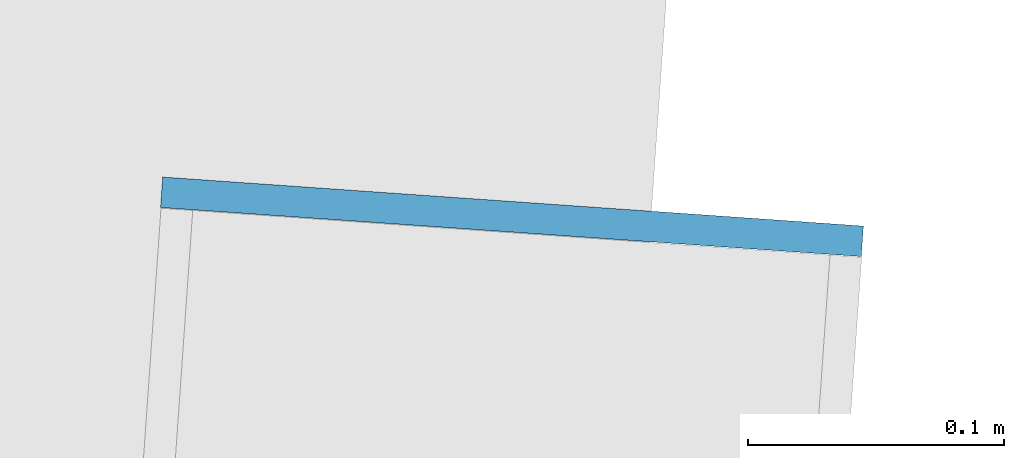
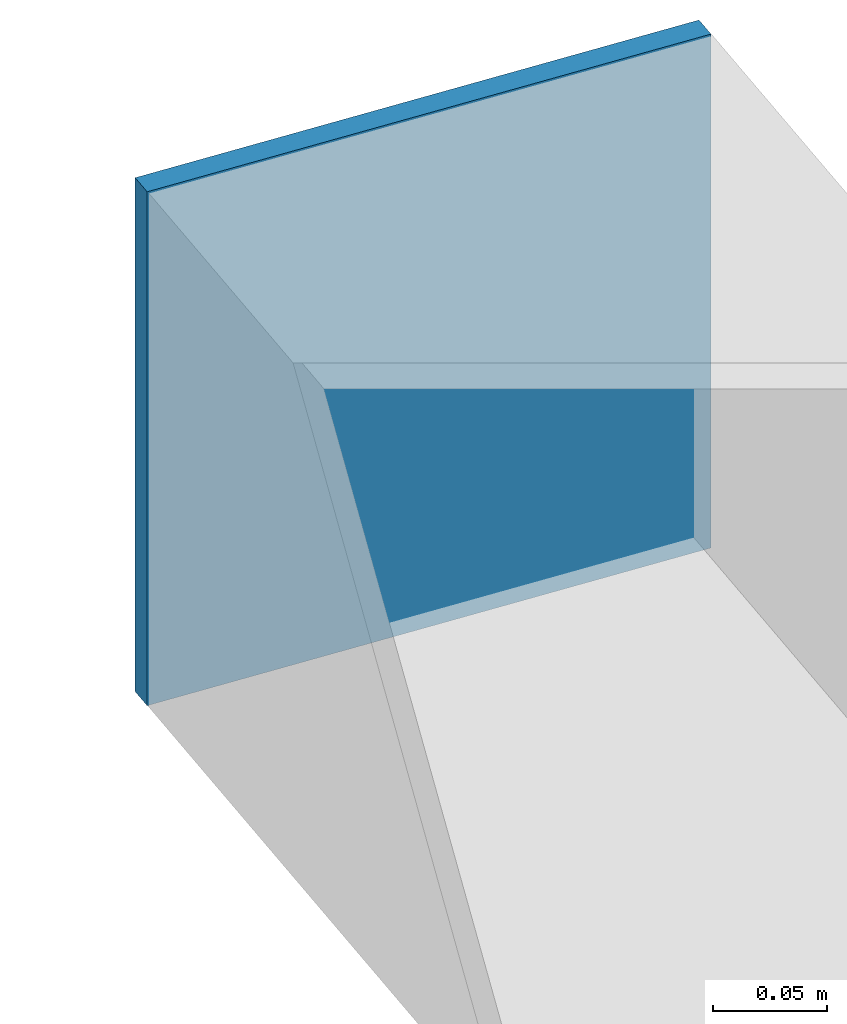
# One storey, part 34 of 39: 1 plate.
"""IFC4 building model written with IfcOpenShell, lengths in metres."""

from ifc_helpers import new_model, si_unit, direction, frame, origin, origin_2d, place, context, subcontext, project, spatial, rectangle, extrude, source, transform, mapped, material, layer, layer_set, type_object, element, save


model = new_model("IFC4")

# Units and contexts
model_context = context("Model", 3, precision=1e-05, world=origin(), true_north=direction((0.0, 1.0)))
body_context = subcontext(model_context, "Body", "Model", "MODEL_VIEW")
ifc_project = project(units=[si_unit("LENGTHUNIT", "METRE"), si_unit("AREAUNIT", "SQUARE_METRE"), si_unit("VOLUMEUNIT", "CUBIC_METRE"), si_unit("PLANEANGLEUNIT", "RADIAN"), si_unit("MASSUNIT", "GRAM", prefix="KILO")], contexts=[model_context])

# Site, building, storey
site_placement = place(None, origin())
site = spatial("IfcSite", under=ifc_project, at=site_placement, CompositionType="ELEMENT")
building_placement = place(site_placement, origin())
building = spatial("IfcBuilding", under=site, at=building_placement, Name="Taldren Reach Tower", CompositionType="ELEMENT")
storey_placement = place(building_placement, frame((0.0, 0.0, 155.050048828125)))
storey = spatial("IfcBuildingStorey", under=building, at=storey_placement, Name="L47", CompositionType="ELEMENT", Elevation=155.050048828125)

# Plate
ifc_material = material(Name="Steel Gr 450 (C450L0)", Category="steel")
ifc_layer = layer(ifc_material, 0.011962890625)
ifc_layer_set = layer_set([ifc_layer], Name="Steel Gr 450 (C450L0)")
plate_type = type_object("IfcPlateType", Name="PL-CAP-275", PredefinedType="SHEET", material=ifc_layer_set)
shared_shape = source(origin(), body_context, "Body", "SweptSolid", [
    extrude(rectangle(XDim=0.27490234375, YDim=0.011962890625, at=origin_2d()), origin(), (0.0, 0.0, 1.0), 0.27490234375),
])
plate_placement = place(storey_placement, frame((58.544921875, 36.413818359375, 2.512451171875), z_axis=(0.0, 0.0, 1.0), x_axis=(0.99756405026, -0.069756473744, 0.0)))
element("IfcPlate", 1, at=plate_placement, inside=storey, type_object=plate_type, Name="Tie strut end cap plate B3-N6 L47", PredefinedType="SHEET", context=body_context, shape_type="MappedRepresentation", body=[
    mapped(shared_shape, transform((0.0, 0.0, 0.0), scale=1.0)),
])

save(model, "model.ifc")
